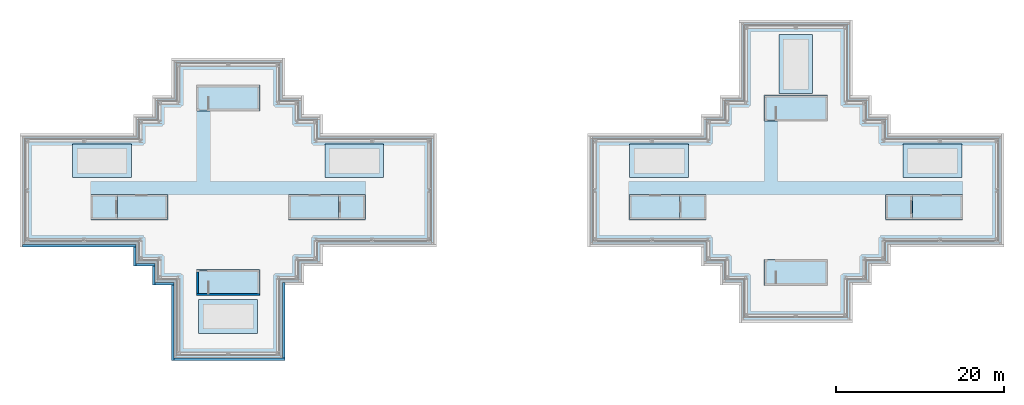
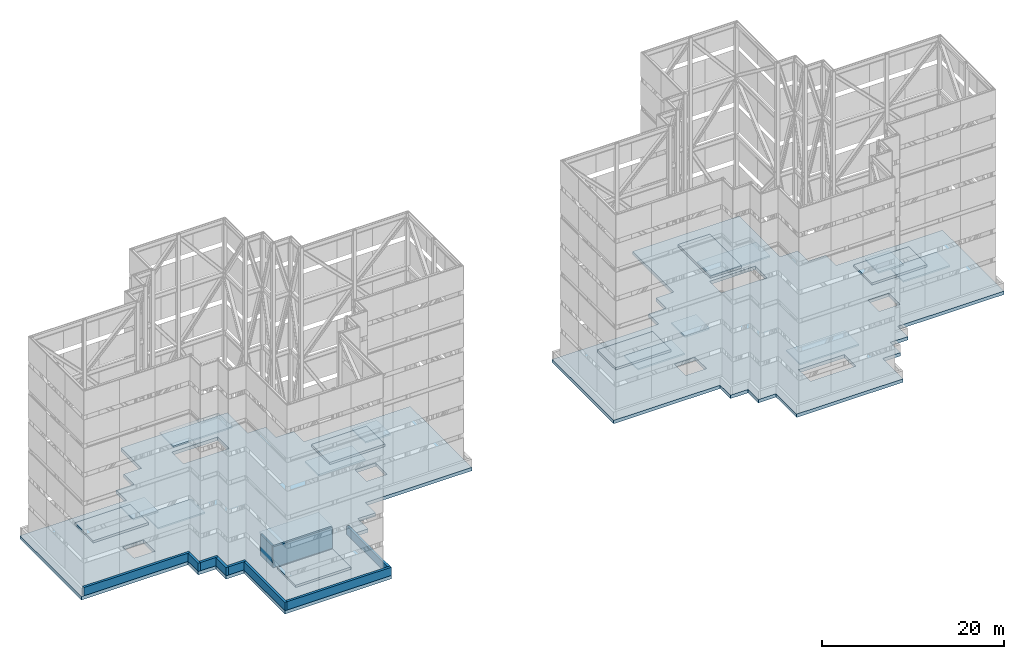
# One storey, part 9 of 19: 20 slabs, 10 walls.
"""IFC4 building model written with IfcOpenShell, lengths in metres."""

import ifcopenshell
import ifcopenshell.guid

model = None  # the IFC model being written
_history = None  # IfcOwnerHistory: only IFC2X3 demands one
_inside = {}  # id of a spatial element -> (the spatial element, [elements in it])
_under = {}  # id of a project, library or spatial element -> (it, [spatial elements below it])
_declared = {}  # id of a project -> (the project, [libraries it declares])
_typed = {}  # id of a type object -> (the type object, [elements of that type])
_made_of = {}  # id of a material, layer set ... -> (it, [elements and type objects made of it])


def new_model(schema):
    """Start an empty IFC model of exactly this schema.

    Asked for "IFC4X3", IfcOpenShell would pick the latest addendum, in which some entities
    have other attributes; the version numbers below select the first issue.
    IFC2X3 requires an IfcOwnerHistory on every rooted entity: one is made here for all.
    """
    global model, _history
    if schema == "IFC4X3":
        model = ifcopenshell.file(schema_version=(4, 3, 0, 0))
    else:
        model = ifcopenshell.file(schema=schema)
    _inside.clear()
    _under.clear()
    _declared.clear()
    _typed.clear()
    _made_of.clear()
    _history = None
    if model.schema == "IFC2X3":
        org = make("IfcOrganization", Name="unknown")
        user = make(
            "IfcPersonAndOrganization",
            ThePerson=make("IfcPerson", FamilyName="unknown"),
            TheOrganization=org,
        )
        app = make(
            "IfcApplication",
            ApplicationDeveloper=org,
            Version="unknown",
            ApplicationFullName="unknown",
            ApplicationIdentifier="unknown",
        )
        _history = make(
            "IfcOwnerHistory",
            OwningUser=user,
            OwningApplication=app,
            ChangeAction="ADDED",
            CreationDate=0,
        )
    return model


def make(cls, **values):
    """One entity of the class cls with the attributes given. An attribute that is None is left unset."""
    return model.create_entity(
        cls, **{name: value for name, value in values.items() if value is not None}
    )


def rooted(cls, **values):
    """An entity with a GlobalId (a new one), such as an element, a storey or a relation."""
    return make(cls, GlobalId=ifcopenshell.guid.new(), OwnerHistory=_history, **values)


def si_unit(unit_type, name, prefix=None):
    """IfcSIUnit, for example si_unit("LENGTHUNIT", "METRE", prefix="MILLI")."""
    return make("IfcSIUnit", UnitType=unit_type, Prefix=prefix, Name=name)


def assignment(units):
    """IfcUnitAssignment: the units of a project."""
    return None if units is None else make("IfcUnitAssignment", Units=units)


def point(xyz):
    """IfcCartesianPoint."""
    return None if xyz is None else make("IfcCartesianPoint", Coordinates=xyz)


def direction(xyz):
    """IfcDirection."""
    return None if xyz is None else make("IfcDirection", DirectionRatios=xyz)


def frame(location, z_axis=None, x_axis=None):
    """IfcAxis2Placement3D, a coordinate frame: its origin and axes. An axis left out is left unset."""
    return make(
        "IfcAxis2Placement3D",
        Location=point(location),
        Axis=direction(z_axis),
        RefDirection=direction(x_axis),
    )


def frame_2d(location, x_axis=None):
    """IfcAxis2Placement2D, a coordinate frame in the plane: its origin and x axis."""
    return make(
        "IfcAxis2Placement2D", Location=point(location), RefDirection=direction(x_axis)
    )


def origin():
    """The frame at (0, 0, 0) with its axes left unset."""
    return frame((0.0, 0.0, 0.0))


def origin_2d():
    """The frame at (0, 0) in the plane with its x axis left unset."""
    return frame_2d((0.0, 0.0))


def place(relative_to, where):
    """IfcLocalPlacement: puts the frame where relative to a parent placement (None: the world)."""
    return make(
        "IfcLocalPlacement", PlacementRelTo=relative_to, RelativePlacement=where
    )


def context(
    kind, dimensions, precision=None, world=None, true_north=None, identifier=None
):
    """IfcGeometricRepresentationContext, for example the 3D "Model" context."""
    return make(
        "IfcGeometricRepresentationContext",
        ContextIdentifier=identifier,
        ContextType=kind,
        CoordinateSpaceDimension=dimensions,
        Precision=precision,
        WorldCoordinateSystem=world,
        TrueNorth=true_north,
    )


def subcontext(parent, identifier, kind, view, scale=None):
    """IfcGeometricRepresentationSubContext, for example "Body" below "Model"."""
    return make(
        "IfcGeometricRepresentationSubContext",
        ContextIdentifier=identifier,
        ContextType=kind,
        ParentContext=parent,
        TargetScale=scale,
        TargetView=view,
    )


def project(units=None, contexts=None):
    """IfcProject with its units and contexts."""
    return rooted(
        "IfcProject",
        Name="project",
        RepresentationContexts=contexts,
        UnitsInContext=assignment(units),
    )


def spatial(cls, under=None, at=None, **own):
    """A site, building, storey or space (cls), placed at a placement, below another one or the project."""
    s = rooted(cls, ObjectPlacement=at, **own)
    if under is not None:
        _under.setdefault(under.id(), (under, []))[1].append(s)
    return s


def polyline(points):
    """IfcPolyline through the points."""
    return make("IfcPolyline", Points=[point(p) for p in points])


def profile(cls, at=None, kind="AREA", **sizes):
    """A parametric profile (cls). Its sizes go by their IFC names, for example OverallWidth=200.0."""
    return make(cls, ProfileType=kind, Position=at, **sizes)


def rectangle(**sizes):
    """IfcRectangleProfileDef."""
    return profile("IfcRectangleProfileDef", **sizes)


def outline(outer, holes=None, kind="AREA"):
    """IfcArbitraryClosedProfileDef: a profile drawn as a closed curve; with holes, ...WithVoids."""
    if holes is None:
        return make("IfcArbitraryClosedProfileDef", ProfileType=kind, OuterCurve=outer)
    return make(
        "IfcArbitraryProfileDefWithVoids",
        ProfileType=kind,
        OuterCurve=outer,
        InnerCurves=holes,
    )


def extrude(swept, where, along, depth):
    """IfcExtrudedAreaSolid: the profile swept, set in the frame where, extruded along a direction by depth."""
    return make(
        "IfcExtrudedAreaSolid",
        SweptArea=swept,
        Position=where,
        ExtrudedDirection=direction(along),
        Depth=depth,
    )


def shape(context_of_items, identifier, shape_type, items):
    """IfcShapeRepresentation: the items that make up one representation, for example the "Body"."""
    return make(
        "IfcShapeRepresentation",
        ContextOfItems=context_of_items,
        RepresentationIdentifier=identifier,
        RepresentationType=shape_type,
        Items=items,
    )


def material(Name=None, Category=None):
    """IfcMaterial."""
    return make("IfcMaterial", Name=Name, Category=Category)


def layer(
    of_material, thickness, ventilated=None, Name=None, Category=None, Priority=None
):
    """IfcMaterialLayer: one layer of a wall or slab, of a material (None: an air gap)."""
    return make(
        "IfcMaterialLayer",
        Material=of_material,
        LayerThickness=thickness,
        IsVentilated=ventilated,
        Name=Name,
        Category=Category,
        Priority=Priority,
    )


def layer_set(layers, Name=None):
    """IfcMaterialLayerSet."""
    return make("IfcMaterialLayerSet", MaterialLayers=layers, LayerSetName=Name)


def made_of(thing, what):
    """Note that an element or type object is made of a material, layer set ...; save() writes the relation."""
    if what is not None:
        _made_of.setdefault(what.id(), (what, []))[1].append(thing)
    return thing


def type_object(cls, material=None, **own):
    """A type object (cls), such as IfcWallType, which elements share."""
    return made_of(rooted(cls, **own), material)


def element(
    cls,
    number,
    at=None,
    inside=None,
    cuts=None,
    type_object=None,
    material=None,
    context=None,
    identifier="Body",
    shape_type=None,
    held_by="IfcProductDefinitionShape",
    body=None,
    shapes=None,
    **own,
):
    """One element of the class cls, such as IfcWall. Its Tag is "e" and its number.

    at: its placement. inside: the storey or other place that contains it. cuts: it is an
    opening in that element (IfcRelVoidsElement). A single representation is given by context,
    identifier, shape_type and body (its items); several are given by shapes. held_by: the class
    of the entity that holds the representations. save() writes the other relations.
    """
    e = rooted(cls, Tag="e%d" % number, ObjectPlacement=at, **own)
    if body is not None:
        shapes = [shape(context, identifier, shape_type, body)]
    if shapes is not None:
        e.Representation = make(held_by, Representations=shapes)
    if inside is not None:
        _inside.setdefault(inside.id(), (inside, []))[1].append(e)
    if cuts is not None:
        rooted(
            "IfcRelVoidsElement", RelatingBuildingElement=cuts, RelatedOpeningElement=e
        )
    if type_object is not None:
        _typed.setdefault(type_object.id(), (type_object, []))[1].append(e)
    return made_of(e, material)


def aggregate(whole, parts):
    """IfcRelAggregates: a whole, such as a stair, and the parts it consists of."""
    return rooted("IfcRelAggregates", RelatingObject=whole, RelatedObjects=parts)


def save(model, path):
    """Write the relations noted so far, then the file.

    IfcRelAggregates (storeys below a building ...), IfcRelContainedInSpatialStructure (elements
    in a storey), IfcRelDefinesByType, IfcRelAssociatesMaterial and IfcRelDeclares: one each for
    every whole, place, type object, material and project.
    """
    for whole, parts in _under.values():
        aggregate(whole, parts)
    for where, things in _inside.values():
        rooted(
            "IfcRelContainedInSpatialStructure",
            RelatedElements=things,
            RelatingStructure=where,
        )
    for kind, things in _typed.values():
        rooted("IfcRelDefinesByType", RelatedObjects=things, RelatingType=kind)
    for what, things in _made_of.values():
        rooted("IfcRelAssociatesMaterial", RelatedObjects=things, RelatingMaterial=what)
    for by, libraries in _declared.values():
        rooted("IfcRelDeclares", RelatingContext=by, RelatedDefinitions=libraries)
    model.write(path)


model = new_model("IFC4")

# Units and contexts
model_context = context("Model", 3, precision=1e-05, world=origin(), true_north=direction((0.0, 1.0)))
body_context = subcontext(model_context, "Body", "Model", "MODEL_VIEW")
ifc_project = project(units=[si_unit("LENGTHUNIT", "METRE"), si_unit("AREAUNIT", "SQUARE_METRE"), si_unit("VOLUMEUNIT", "CUBIC_METRE"), si_unit("PLANEANGLEUNIT", "RADIAN"), si_unit("MASSUNIT", "GRAM", prefix="KILO")], contexts=[model_context])

# Site, building, storey
site_placement = place(None, origin())
site = spatial("IfcSite", under=ifc_project, at=site_placement, CompositionType="ELEMENT")
building_placement = place(site_placement, origin())
building = spatial("IfcBuilding", under=site, at=building_placement, Name="Shamsa Quay Exchange Towers", CompositionType="ELEMENT")
storey_placement = place(building_placement, frame((0.0, 0.0, 284.300048828125)))
storey = spatial("IfcBuildingStorey", under=building, at=storey_placement, Name="Roof", CompositionType="ELEMENT", Elevation=284.300048828125)

# Slabs
ifc_material_1 = material(Name="Concrete C40/50", Category="concrete")
ifc_layer_1 = layer(ifc_material_1, 0.199951171875)
ifc_layer_set_1 = layer_set([ifc_layer_1], Name="HEAD-HOUSE ROOF 200 C40/50")
slab_type_1 = type_object("IfcSlabType", Name="HEAD-HOUSE ROOF 200 C40/50", PredefinedType="ROOF", material=ifc_layer_set_1)
slab_1_placement = place(storey_placement, frame((0.0, 0.0, 2.800048828125)))
element("IfcSlab", 1, at=slab_1_placement, inside=storey, type_object=slab_type_1, Name="Head-house roof RS1", PredefinedType="ROOF", context=body_context, shape_type="SweptSolid", body=[
    extrude(outline(polyline([(-37.5, 9.449951171875), (-30.0, 9.449951171875), (-30.0, 12.5), (-37.5, 12.5), (-37.5, 9.449951171875)])), origin(), (0.0, 0.0, 1.0), 0.199951171875),
])
slab_2_placement = place(storey_placement, frame((0.0, 0.0, 2.800048828125)))
element("IfcSlab", 2, at=slab_2_placement, inside=storey, type_object=slab_type_1, Name="Head-house roof RS2", PredefinedType="ROOF", context=body_context, shape_type="SweptSolid", body=[
    extrude(outline(polyline([(-37.5, -12.5), (-30.0, -12.5), (-30.0, -9.449951171875), (-37.5, -9.449951171875), (-37.5, -12.5)])), origin(), (0.0, 0.0, 1.0), 0.199951171875),
])
slab_3_placement = place(storey_placement, frame((0.0, 0.0, 2.800048828125)))
element("IfcSlab", 3, at=slab_3_placement, inside=storey, type_object=slab_type_1, Name="Head-house roof RS3", PredefinedType="ROOF", context=body_context, shape_type="SweptSolid", body=[
    extrude(outline(polyline([(30.0, 8.25), (37.5, 8.25), (37.5, 11.300048828125), (30.0, 11.300048828125), (30.0, 8.25)])), origin(), (0.0, 0.0, 1.0), 0.199951171875),
])
slab_4_placement = place(storey_placement, frame((0.0, 0.0, 2.800048828125)))
element("IfcSlab", 4, at=slab_4_placement, inside=storey, type_object=slab_type_1, Name="Head-house roof RS4", PredefinedType="ROOF", context=body_context, shape_type="SweptSolid", body=[
    extrude(outline(polyline([(30.0, -11.300048828125), (37.5, -11.300048828125), (37.5, -8.25), (30.0, -8.25), (30.0, -11.300048828125)])), origin(), (0.0, 0.0, 1.0), 0.199951171875),
])
slab_5_placement = place(storey_placement, frame((0.0, 0.0, 3.0)))
element("IfcSlab", 5, at=slab_5_placement, inside=storey, type_object=slab_type_1, Name="Lift lobby roof FL1", PredefinedType="ROOF", context=body_context, shape_type="SweptSolid", body=[
    extrude(outline(polyline([(-26.550048828125, -3.5), (-20.60009765625, -3.5), (-20.60009765625, -0.5), (-26.550048828125, -0.5), (-26.550048828125, -3.5)])), origin(), (0.0, 0.0, 1.0), 0.199951171875),
])
slab_6_placement = place(storey_placement, frame((0.0, 0.0, 5.300048828125)))
element("IfcSlab", 6, at=slab_6_placement, inside=storey, type_object=slab_type_1, Name="Lift overrun roof FL1", PredefinedType="ROOF", context=body_context, shape_type="SweptSolid", body=[
    extrude(outline(polyline([(-20.60009765625, -3.5), (-17.449951171875, -3.5), (-17.449951171875, -0.5), (-20.60009765625, -0.5), (-20.60009765625, -3.5)])), origin(), (0.0, 0.0, 1.0), 0.199951171875),
])
slab_7_placement = place(storey_placement, frame((0.0, 0.0, 3.0)))
element("IfcSlab", 7, at=slab_7_placement, inside=storey, type_object=slab_type_1, Name="Lift lobby roof FL2", PredefinedType="ROOF", context=body_context, shape_type="SweptSolid", body=[
    extrude(outline(polyline([(-40.949951171875, -3.5), (-40.949951171875, -0.5), (-46.89990234375, -0.5), (-46.89990234375, -3.5), (-40.949951171875, -3.5)])), origin(), (0.0, 0.0, 1.0), 0.199951171875),
])
slab_8_placement = place(storey_placement, frame((0.0, 0.0, 5.300048828125)))
element("IfcSlab", 8, at=slab_8_placement, inside=storey, type_object=slab_type_1, Name="Lift overrun roof FL2", PredefinedType="ROOF", context=body_context, shape_type="SweptSolid", body=[
    extrude(outline(polyline([(-46.89990234375, -3.5), (-46.89990234375, -0.5), (-50.050048828125, -0.5), (-50.050048828125, -3.5), (-46.89990234375, -3.5)])), origin(), (0.0, 0.0, 1.0), 0.199951171875),
])
slab_9_placement = place(storey_placement, frame((0.0, 0.0, 3.0)))
element("IfcSlab", 9, at=slab_9_placement, inside=storey, type_object=slab_type_1, Name="Lift lobby roof FL3", PredefinedType="ROOF", context=body_context, shape_type="SweptSolid", body=[
    extrude(outline(polyline([(13.949951171875, -3.5), (19.89990234375, -3.5), (19.89990234375, -0.5), (13.949951171875, -0.5), (13.949951171875, -3.5)])), origin(), (0.0, 0.0, 1.0), 0.199951171875),
])
slab_10_placement = place(storey_placement, frame((0.0, 0.0, 5.300048828125)))
element("IfcSlab", 10, at=slab_10_placement, inside=storey, type_object=slab_type_1, Name="Lift overrun roof FL3", PredefinedType="ROOF", context=body_context, shape_type="SweptSolid", body=[
    extrude(outline(polyline([(19.89990234375, -3.5), (23.050048828125, -3.5), (23.050048828125, -0.5), (19.89990234375, -0.5), (19.89990234375, -3.5)])), origin(), (0.0, 0.0, 1.0), 0.199951171875),
])
slab_11_placement = place(storey_placement, frame((0.0, 0.0, 3.0)))
element("IfcSlab", 11, at=slab_11_placement, inside=storey, type_object=slab_type_1, Name="Lift lobby roof FL4", PredefinedType="ROOF", context=body_context, shape_type="SweptSolid", body=[
    extrude(outline(polyline([(53.550048828125, -3.5), (53.550048828125, -0.5), (47.60009765625, -0.5), (47.60009765625, -3.5), (53.550048828125, -3.5)])), origin(), (0.0, 0.0, 1.0), 0.199951171875),
])
slab_12_placement = place(storey_placement, frame((0.0, 0.0, 5.300048828125)))
element("IfcSlab", 12, at=slab_12_placement, inside=storey, type_object=slab_type_1, Name="Lift overrun roof FL4", PredefinedType="ROOF", context=body_context, shape_type="SweptSolid", body=[
    extrude(outline(polyline([(47.60009765625, -3.5), (47.60009765625, -0.5), (44.449951171875, -0.5), (44.449951171875, -3.5), (47.60009765625, -3.5)])), origin(), (0.0, 0.0, 1.0), 0.199951171875),
])
ifc_layer_2 = layer(ifc_material_1, 0.300048828125)
ifc_layer_set_2 = layer_set([ifc_layer_2], Name="Plant plinth 300")
slab_type_2 = type_object("IfcSlabType", Name="Plant plinth 300", PredefinedType="USERDEFINED", material=ifc_layer_set_2)
for number, where, name in (
    (13, (-18.75, 3.5, 0.0), "Plant plinth T1 1"),
    (14, (-48.75, 3.5, 0.0), "Plant plinth T1 2"),
    (15, (-33.75, -15.0, 0.0), "Plant plinth T1 3"),
):
    element("IfcSlab", number, at=place(storey_placement, frame(where)), inside=storey, type_object=slab_type_2, Name=name, ObjectType="PLINTH", PredefinedType="USERDEFINED", context=body_context, shape_type="SweptSolid", body=[
        extrude(rectangle(XDim=7.0, YDim=4.0, at=origin_2d()), origin(), (0.0, 0.0, 1.0), 0.300048828125),
    ])
slab_13_placement = place(storey_placement, frame((33.75, 15.0, 0.0), z_axis=(0.0, 0.0, 1.0), x_axis=(0.0, 1.0, 0.0)))
element("IfcSlab", 16, at=slab_13_placement, inside=storey, type_object=slab_type_2, Name="Plant plinth T2 1", ObjectType="PLINTH", PredefinedType="USERDEFINED", context=body_context, shape_type="SweptSolid", body=[
    extrude(rectangle(XDim=7.0, YDim=4.0, at=origin_2d()), origin(), (0.0, 0.0, 1.0), 0.300048828125),
])
for number, where, name in (
    (17, (17.5, 3.5, 0.0), "Plant plinth T2 2"),
    (18, (50.0, 3.5, 0.0), "Plant plinth T2 3"),
):
    element("IfcSlab", number, at=place(storey_placement, frame(where)), inside=storey, type_object=slab_type_2, Name=name, ObjectType="PLINTH", PredefinedType="USERDEFINED", context=body_context, shape_type="SweptSolid", body=[
        extrude(rectangle(XDim=7.0, YDim=4.0, at=origin_2d()), origin(), (0.0, 0.0, 1.0), 0.300048828125),
    ])
ifc_layer_3 = layer(ifc_material_1, 0.449951171875)
ifc_layer_set_3 = layer_set([ifc_layer_3], Name="Roof slab 450")
slab_type_3 = type_object("IfcSlabType", Name="Roof slab 450", PredefinedType="ROOF", material=ifc_layer_set_3)
slab_14_placement = place(storey_placement, frame((0.0, 0.0, -0.449951171875)))
element("IfcSlab", 19, at=slab_14_placement, inside=storey, type_object=slab_type_3, Name="Roof slab T1 Roof 1", PredefinedType="ROOF", context=body_context, shape_type="SweptSolid", body=[
    extrude(outline(polyline([(-45.0, -9.0), (-42.75, -9.0), (-42.75, -11.25), (-40.5, -11.25), (-40.5, -20.25), (-27.0, -20.25), (-27.0, -11.25), (-24.75, -11.25), (-24.75, -9.0), (-22.5, -9.0), (-22.5, -6.75), (-9.0, -6.75), (-9.0, 6.75), (-22.5, 6.75), (-22.5, 9.0), (-24.75, 9.0), (-24.75, 11.25), (-27.0, 11.25), (-27.0, 15.75), (-40.5, 15.75), (-40.5, 11.25), (-42.75, 11.25), (-42.75, 9.0), (-45.0, 9.0), (-45.0, 6.75), (-58.5, 6.75), (-58.5, -6.75), (-45.0, -6.75), (-45.0, -9.0)]), holes=[polyline([(-36.04931640625, -9.699951171875), (-36.04931640625, -12.25), (-30.25, -12.25), (-30.25, -9.699951171875), (-36.04931640625, -9.699951171875)]), polyline([(-49.800048828125, -0.75), (-49.800048828125, -3.25), (-47.14990234375, -3.25), (-47.14990234375, -0.75), (-49.800048828125, -0.75)]), polyline([(-20.35009765625, -0.75), (-20.35009765625, -3.25), (-17.699951171875, -3.25), (-17.699951171875, -0.75), (-20.35009765625, -0.75)]), polyline([(-36.04931640625, 12.25), (-36.04931640625, 9.699951171875), (-30.25, 9.699951171875), (-30.25, 12.25), (-36.04931640625, 12.25)])]), origin(), (0.0, 0.0, 1.0), 0.449951171875),
])
slab_15_placement = place(storey_placement, frame((0.0, 0.0, -0.449951171875)))
element("IfcSlab", 20, at=slab_15_placement, inside=storey, type_object=slab_type_3, Name="Roof slab T2 Roof 2", PredefinedType="ROOF", context=body_context, shape_type="SweptSolid", body=[
    extrude(outline(polyline([(42.75, -11.25), (42.75, -9.0), (45.0, -9.0), (45.0, -6.75), (58.5, -6.75), (58.5, 6.75), (45.0, 6.75), (45.0, 9.0), (42.75, 9.0), (42.75, 11.25), (40.5, 11.25), (40.5, 20.25), (27.0, 20.25), (27.0, 11.25), (24.75, 11.25), (24.75, 9.0), (22.5, 9.0), (22.5, 6.75), (9.0, 6.75), (9.0, -6.75), (22.5, -6.75), (22.5, -9.0), (24.75, -9.0), (24.75, -11.25), (27.0, -11.25), (27.0, -15.75), (40.5, -15.75), (40.5, -11.25), (42.75, -11.25)]), holes=[polyline([(31.45068359375, -8.5), (31.45068359375, -11.050048828125), (37.25, -11.050048828125), (37.25, -8.5), (31.45068359375, -8.5)]), polyline([(20.14990234375, -0.75), (20.14990234375, -3.25), (22.800048828125, -3.25), (22.800048828125, -0.75), (20.14990234375, -0.75)]), polyline([(44.699951171875, -0.75), (44.699951171875, -3.25), (47.35009765625, -3.25), (47.35009765625, -0.75), (44.699951171875, -0.75)]), polyline([(31.45068359375, 11.050048828125), (31.45068359375, 8.5), (37.25, 8.5), (37.25, 11.050048828125), (31.45068359375, 11.050048828125)])]), origin(), (0.0, 0.0, 1.0), 0.449951171875),
])

# Walls
ifc_material_2 = material(Name="Reinforced concrete C30/37", Category="concrete")
ifc_layer_4 = layer(ifc_material_2, 0.300048828125)
ifc_layer_set_4 = layer_set([ifc_layer_4], Name="ROOF PARAPET 300 C30/37")
wall_type_1 = type_object("IfcWallType", Name="ROOF PARAPET 300 C30/37", PredefinedType="PARAPET", material=ifc_layer_set_4)
wall_1_placement = place(storey_placement, frame((-44.699951171875, -8.85009765625, 0.0)))
element("IfcWall", 21, at=wall_1_placement, inside=storey, type_object=wall_type_1, Name="Parapet T1 1", PredefinedType="PARAPET", context=body_context, shape_type="SweptSolid", body=[
    extrude(rectangle(XDim=2.25, YDim=0.300048828125, at=frame_2d((1.125, 0.0))), origin(), (0.0, 0.0, 1.0), 1.099853515625),
])
wall_2_placement = place(storey_placement, frame((-42.60009765625, -9.0, 0.0), z_axis=(0.0, 0.0, 1.0), x_axis=(0.0, -1.0, 0.0)))
element("IfcWall", 22, at=wall_2_placement, inside=storey, type_object=wall_type_1, Name="Parapet T1 2", PredefinedType="PARAPET", context=body_context, shape_type="SweptSolid", body=[
    extrude(rectangle(XDim=2.25, YDim=0.300048828125, at=frame_2d((1.125, 0.0))), origin(), (0.0, 0.0, 1.0), 1.099853515625),
])
wall_3_placement = place(storey_placement, frame((-42.449951171875, -11.10009765625, 0.0)))
element("IfcWall", 23, at=wall_3_placement, inside=storey, type_object=wall_type_1, Name="Parapet T1 3", PredefinedType="PARAPET", context=body_context, shape_type="SweptSolid", body=[
    extrude(rectangle(XDim=2.25, YDim=0.300048828125, at=frame_2d((1.125, 0.0))), origin(), (0.0, 0.0, 1.0), 1.099853515625),
])
wall_4_placement = place(storey_placement, frame((-40.35009765625, -11.25, 0.0), z_axis=(0.0, 0.0, 1.0), x_axis=(0.0, -1.0, 0.0)))
element("IfcWall", 24, at=wall_4_placement, inside=storey, type_object=wall_type_1, Name="Parapet T1 4", PredefinedType="PARAPET", context=body_context, shape_type="SweptSolid", body=[
    extrude(rectangle(XDim=9.0, YDim=0.300048828125, at=frame_2d((4.5, 0.0))), origin(), (0.0, 0.0, 1.0), 1.099853515625),
])
wall_5_placement = place(storey_placement, frame((-40.199951171875, -20.10009765625, 0.0)))
element("IfcWall", 25, at=wall_5_placement, inside=storey, type_object=wall_type_1, Name="Parapet T1 5", PredefinedType="PARAPET", context=body_context, shape_type="SweptSolid", body=[
    extrude(rectangle(XDim=13.199951171875, YDim=0.300048828125, at=frame_2d((6.60009765625, 0.0))), origin(), (0.0, 0.0, 1.0), 1.099853515625),
])
wall_6_placement = place(storey_placement, frame((-27.14990234375, -19.949951171875, 0.0), z_axis=(0.0, 0.0, 1.0), x_axis=(0.0, 1.0, 0.0)))
element("IfcWall", 26, at=wall_6_placement, inside=storey, type_object=wall_type_1, Name="Parapet T1 6", PredefinedType="PARAPET", context=body_context, shape_type="SweptSolid", body=[
    extrude(rectangle(XDim=9.0, YDim=0.300048828125, at=frame_2d((4.5, 0.0))), origin(), (0.0, 0.0, 1.0), 1.099853515625),
])
wall_7_placement = place(storey_placement, frame((-58.199951171875, -6.60009765625, 0.0)))
element("IfcWall", 27, at=wall_7_placement, inside=storey, type_object=wall_type_1, Name="Parapet T1 27", PredefinedType="PARAPET", context=body_context, shape_type="SweptSolid", body=[
    extrude(rectangle(XDim=13.5, YDim=0.300048828125, at=frame_2d((6.75, 0.0))), origin(), (0.0, 0.0, 1.0), 1.099853515625),
])
wall_8_placement = place(storey_placement, frame((-44.85009765625, -6.75, 0.0), z_axis=(0.0, 0.0, 1.0), x_axis=(0.0, -1.0, 0.0)))
element("IfcWall", 28, at=wall_8_placement, inside=storey, type_object=wall_type_1, Name="Parapet T1 28", PredefinedType="PARAPET", context=body_context, shape_type="SweptSolid", body=[
    extrude(rectangle(XDim=2.25, YDim=0.300048828125, at=frame_2d((1.125, 0.0))), origin(), (0.0, 0.0, 1.0), 1.099853515625),
])
ifc_material_3 = material(Name="Concrete C50/60", Category="concrete")
ifc_layer_5 = layer(ifc_material_3, 0.25)
ifc_layer_set_5 = layer_set([ifc_layer_5], Name="SHAFT WALL 250 C50/60")
wall_type_2 = type_object("IfcWallType", Name="SHAFT WALL 250 C50/60", PredefinedType="SHEAR", material=ifc_layer_set_5)
wall_9_placement = place(storey_placement, frame((-37.5, -12.375, 0.0)))
element("IfcWall", 29, at=wall_9_placement, inside=storey, type_object=wall_type_2, Name="Head-house wall RS2 N", PredefinedType="SHEAR", context=body_context, shape_type="SweptSolid", body=[
    extrude(rectangle(XDim=7.5, YDim=0.25, at=frame_2d((3.75, 0.0))), origin(), (0.0, 0.0, 1.0), 2.800048828125),
])
wall_10_placement = place(storey_placement, frame((-37.375, -12.25, 0.0), z_axis=(0.0, 0.0, 1.0), x_axis=(0.0, 1.0, 0.0)))
element("IfcWall", 30, at=wall_10_placement, inside=storey, type_object=wall_type_2, Name="Head-house wall RS2 W", PredefinedType="SHEAR", context=body_context, shape_type="SweptSolid", body=[
    extrude(rectangle(XDim=2.550048828125, YDim=0.25, at=frame_2d((1.27490234375, 0.0))), origin(), (0.0, 0.0, 1.0), 2.800048828125),
])

save(model, "model.ifc")
